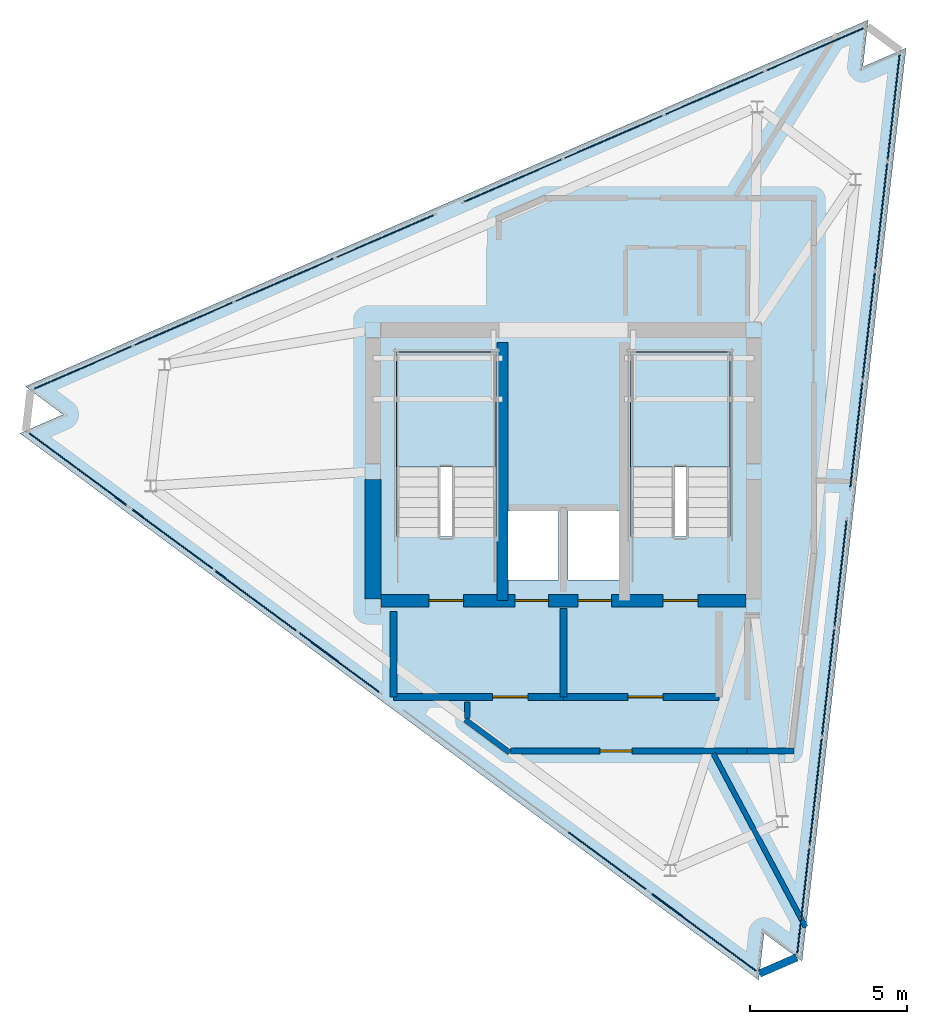
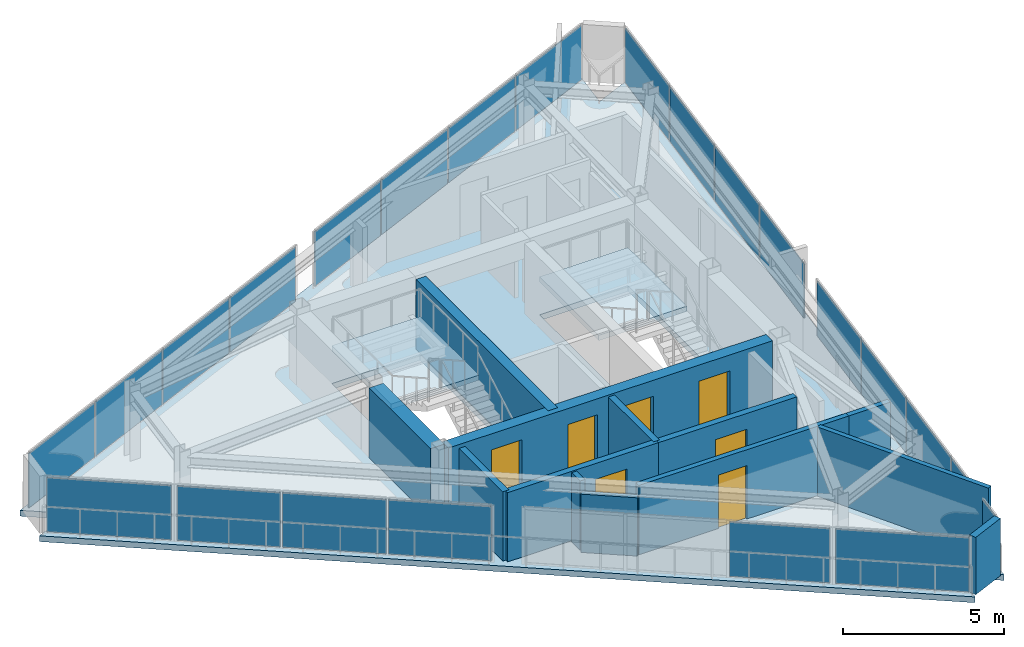
# One storey, part 6 of 10: 22 plates, 13 walls, 7 doors, 3 slabs, 7 openings, 10 elements without a shape of their own.
"""IFC4 building model written with IfcOpenShell, lengths in metres."""

from ifc_helpers import new_model, si_unit, direction, frame, frame_2d, origin, origin_2d, place, context, subcontext, project, spatial, polyline, rectangle, outline, extrude, material, layer, layer_set, type_object, element, fill, aggregate, save


model = new_model("IFC4")

# Units and contexts
model_context = context("Model", 3, precision=1e-05, world=origin(), true_north=direction((0.0, 1.0)))
body_context = subcontext(model_context, "Body", "Model", "MODEL_VIEW")
ifc_project = project(units=[si_unit("LENGTHUNIT", "METRE"), si_unit("AREAUNIT", "SQUARE_METRE"), si_unit("VOLUMEUNIT", "CUBIC_METRE"), si_unit("PLANEANGLEUNIT", "RADIAN"), si_unit("MASSUNIT", "GRAM", prefix="KILO")], contexts=[model_context])

# Site, building, storey
site_placement = place(None, origin())
site = spatial("IfcSite", under=ifc_project, at=site_placement, CompositionType="ELEMENT")
building_placement = place(site_placement, origin())
building = spatial("IfcBuilding", under=site, at=building_placement, Name="Rocaltana Carrier Exchange", CompositionType="ELEMENT")
storey_placement = place(building_placement, frame((0.0, 0.0, 252.0)))
storey = spatial("IfcBuildingStorey", under=building, at=storey_placement, Name="L80", CompositionType="ELEMENT", Elevation=252.0)

# Curtain wall, plates
ifc_material_1 = material(Name="Aluminium 6063-T6", Category="aluminium")
ifc_layer_1 = layer(ifc_material_1, 0.110107421875)
ifc_layer_set_1 = layer_set([ifc_layer_1], Name="Aluminium 6063-T6")
curtain_wall_type = type_object("IfcCurtainWallType", Name="Crown Lantern Faceted Curtain Wall CW-06", PredefinedType="NOTDEFINED", material=ifc_layer_set_1)
curtain_wall_1_placement = place(storey_placement, origin())
curtain_wall_1 = element("IfcCurtainWall", 1, at=curtain_wall_1_placement, inside=storey, type_object=curtain_wall_type, Name="L80 CW-06 Run CW06-L80-F1S1", PredefinedType="NOTDEFINED")
ifc_material_2 = material(Name="Tempered Laminated Glass", Category="glass")
ifc_layer_2 = layer(ifc_material_2, 0.033935546875)
ifc_layer_set_2 = layer_set([ifc_layer_2], Name="Tempered Laminated Glass")
plate_type = type_object("IfcPlateType", Name="CW-06 Stone-Insulated Vision Panel", PredefinedType="CURTAIN_PANEL", material=ifc_layer_set_2)
plate_1_placement = place(storey_placement, frame((7.62060546875, -13.636474609375, 0.054931640625), z_axis=(0.0, 0.0, 1.0), x_axis=(0.113200089213, 0.99357221167, 0.0)))
plate_1 = element("IfcPlate", 2, at=plate_1_placement, type_object=plate_type, Name="CW-06 panel 1.1", PredefinedType="CURTAIN_PANEL", context=body_context, shape_type="SweptSolid", body=[
    extrude(rectangle(XDim=3.41748046875, YDim=0.033935546875, at=origin_2d()), origin(), (0.0, 0.0, 1.0), 2.05810546875),
])
plate_2_placement = place(storey_placement, frame((8.015380859375, -10.1728515625, 0.054931640625), z_axis=(0.0, 0.0, 1.0), x_axis=(0.113200089213, 0.99357221167, 0.0)))
plate_2 = element("IfcPlate", 3, at=plate_2_placement, type_object=plate_type, Name="CW-06 panel 2.1", PredefinedType="CURTAIN_PANEL", context=body_context, shape_type="SweptSolid", body=[
    extrude(rectangle(XDim=3.445068359375, YDim=0.033935546875, at=origin_2d()), origin(), (0.0, 0.0, 1.0), 2.05810546875),
])
plate_3_placement = place(storey_placement, frame((8.41162109375, -6.6953125, 0.054931640625), z_axis=(0.0, 0.0, 1.0), x_axis=(0.113200089213, 0.99357221167, 0.0)))
plate_3 = element("IfcPlate", 4, at=plate_3_placement, type_object=plate_type, Name="CW-06 panel 3.1", PredefinedType="CURTAIN_PANEL", context=body_context, shape_type="SweptSolid", body=[
    extrude(rectangle(XDim=3.445068359375, YDim=0.033935546875, at=origin_2d()), origin(), (0.0, 0.0, 1.0), 2.05810546875),
])
plate_4_placement = place(storey_placement, frame((8.80615234375, -3.2314453125, 0.054931640625), z_axis=(0.0, 0.0, 1.0), x_axis=(0.113200089213, 0.99357221167, 0.0)))
plate_4 = element("IfcPlate", 5, at=plate_4_placement, type_object=plate_type, Name="CW-06 panel 4.1", PredefinedType="CURTAIN_PANEL", context=body_context, shape_type="SweptSolid", body=[
    extrude(rectangle(XDim=3.41748046875, YDim=0.033935546875, at=origin_2d()), origin(), (0.0, 0.0, 1.0), 2.05810546875),
])
aggregate(curtain_wall_1, [plate_1, plate_2, plate_3, plate_4])

curtain_wall_2_placement = place(storey_placement, origin())
curtain_wall_2 = element("IfcCurtainWall", 6, at=curtain_wall_2_placement, inside=storey, type_object=curtain_wall_type, Name="L80 CW-06 Run CW06-L80-F1S2", PredefinedType="NOTDEFINED")
plate_5_placement = place(storey_placement, frame((9.307373046875, 1.167724609375, 0.054931640625), z_axis=(0.0, 0.0, 1.0), x_axis=(0.113200089213, 0.99357221167, 0.0)))
plate_5 = element("IfcPlate", 7, at=plate_5_placement, type_object=plate_type, Name="CW-06 panel 1.1", PredefinedType="CURTAIN_PANEL", context=body_context, shape_type="SweptSolid", body=[
    extrude(rectangle(XDim=3.41748046875, YDim=0.033935546875, at=origin_2d()), origin(), (0.0, 0.0, 1.0), 2.05810546875),
])
plate_6_placement = place(storey_placement, frame((9.701904296875, 4.63134765625, 0.054931640625), z_axis=(0.0, 0.0, 1.0), x_axis=(0.113200089213, 0.99357221167, 0.0)))
plate_6 = element("IfcPlate", 8, at=plate_6_placement, type_object=plate_type, Name="CW-06 panel 2.1", PredefinedType="CURTAIN_PANEL", context=body_context, shape_type="SweptSolid", body=[
    extrude(rectangle(XDim=3.445068359375, YDim=0.033935546875, at=origin_2d()), origin(), (0.0, 0.0, 1.0), 2.05810546875),
])
plate_7_placement = place(storey_placement, frame((10.09814453125, 8.10888671875, 0.054931640625), z_axis=(0.0, 0.0, 1.0), x_axis=(0.113200089213, 0.99357221167, 0.0)))
plate_7 = element("IfcPlate", 9, at=plate_7_placement, type_object=plate_type, Name="CW-06 panel 3.1", PredefinedType="CURTAIN_PANEL", context=body_context, shape_type="SweptSolid", body=[
    extrude(rectangle(XDim=3.445068359375, YDim=0.033935546875, at=origin_2d()), origin(), (0.0, 0.0, 1.0), 2.05810546875),
])
plate_8_placement = place(storey_placement, frame((10.492919921875, 11.57275390625, 0.054931640625), z_axis=(0.0, 0.0, 1.0), x_axis=(0.113200089213, 0.99357221167, 0.0)))
plate_8 = element("IfcPlate", 10, at=plate_8_placement, type_object=plate_type, Name="CW-06 panel 4.1", PredefinedType="CURTAIN_PANEL", context=body_context, shape_type="SweptSolid", body=[
    extrude(rectangle(XDim=3.41748046875, YDim=0.033935546875, at=origin_2d()), origin(), (0.0, 0.0, 1.0), 2.05810546875),
])
aggregate(curtain_wall_2, [plate_5, plate_6, plate_7, plate_8])

curtain_wall_3_placement = place(storey_placement, origin())
curtain_wall_3 = element("IfcCurtainWall", 11, at=curtain_wall_3_placement, inside=storey, type_object=curtain_wall_type, Name="L80 CW-06 Run CW06-L80-F2S1", PredefinedType="NOTDEFINED")
plate_9_placement = place(storey_placement, frame((7.999267578125, 13.41796875, 0.054931640625), z_axis=(0.0, 0.0, 1.0), x_axis=(-0.917063015466, -0.398742304834, 0.0)))
plate_9 = element("IfcPlate", 12, at=plate_9_placement, type_object=plate_type, Name="CW-06 panel 1.1", PredefinedType="CURTAIN_PANEL", context=body_context, shape_type="SweptSolid", body=[
    extrude(rectangle(XDim=3.41748046875, YDim=0.033935546875, at=origin_2d()), origin(), (0.0, 0.0, 1.0), 2.05810546875),
])
plate_10_placement = place(storey_placement, frame((4.80224609375, 12.02783203125, 0.054931640625), z_axis=(0.0, 0.0, 1.0), x_axis=(-0.917063015466, -0.398742304834, 0.0)))
plate_10 = element("IfcPlate", 13, at=plate_10_placement, type_object=plate_type, Name="CW-06 panel 2.1", PredefinedType="CURTAIN_PANEL", context=body_context, shape_type="SweptSolid", body=[
    extrude(rectangle(XDim=3.445068359375, YDim=0.033935546875, at=origin_2d()), origin(), (0.0, 0.0, 1.0), 2.05810546875),
])
plate_11_placement = place(storey_placement, frame((1.592529296875, 10.632080078125, 0.054931640625), z_axis=(0.0, 0.0, 1.0), x_axis=(-0.917063015466, -0.398742304834, 0.0)))
plate_11 = element("IfcPlate", 14, at=plate_11_placement, type_object=plate_type, Name="CW-06 panel 3.1", PredefinedType="CURTAIN_PANEL", context=body_context, shape_type="SweptSolid", body=[
    extrude(rectangle(XDim=3.445068359375, YDim=0.033935546875, at=origin_2d()), origin(), (0.0, 0.0, 1.0), 2.05810546875),
])
plate_12_placement = place(storey_placement, frame((-1.604736328125, 9.2421875, 0.054931640625), z_axis=(0.0, 0.0, 1.0), x_axis=(-0.917063015466, -0.398742304834, 0.0)))
plate_12 = element("IfcPlate", 15, at=plate_12_placement, type_object=plate_type, Name="CW-06 panel 4.1", PredefinedType="CURTAIN_PANEL", context=body_context, shape_type="SweptSolid", body=[
    extrude(rectangle(XDim=3.41748046875, YDim=0.033935546875, at=origin_2d()), origin(), (0.0, 0.0, 1.0), 2.05810546875),
])
aggregate(curtain_wall_3, [plate_9, plate_10, plate_11, plate_12])

curtain_wall_4_placement = place(storey_placement, origin())
curtain_wall_4 = element("IfcCurtainWall", 16, at=curtain_wall_4_placement, inside=storey, type_object=curtain_wall_type, Name="L80 CW-06 Run CW06-L80-F2S2", PredefinedType="NOTDEFINED")
plate_13_placement = place(storey_placement, frame((-5.664794921875, 7.4765625, 0.054931640625), z_axis=(0.0, 0.0, 1.0), x_axis=(-0.917060403513, -0.398748311983, 0.0)))
plate_13 = element("IfcPlate", 17, at=plate_13_placement, type_object=plate_type, Name="CW-06 panel 1.1", PredefinedType="CURTAIN_PANEL", context=body_context, shape_type="SweptSolid", body=[
    extrude(rectangle(XDim=3.41748046875, YDim=0.033935546875, at=origin_2d()), origin(), (0.0, 0.0, 1.0), 2.05810546875),
])
plate_14_placement = place(storey_placement, frame((-8.862060546875, 6.08642578125, 0.054931640625), z_axis=(0.0, 0.0, 1.0), x_axis=(-0.917060403513, -0.398748311983, 0.0)))
plate_14 = element("IfcPlate", 18, at=plate_14_placement, type_object=plate_type, Name="CW-06 panel 2.1", PredefinedType="CURTAIN_PANEL", context=body_context, shape_type="SweptSolid", body=[
    extrude(rectangle(XDim=3.445068359375, YDim=0.033935546875, at=origin_2d()), origin(), (0.0, 0.0, 1.0), 2.05810546875),
])
plate_15_placement = place(storey_placement, frame((-12.07177734375, 4.69091796875, 0.054931640625), z_axis=(0.0, 0.0, 1.0), x_axis=(-0.917060403513, -0.398748311983, 0.0)))
plate_15 = element("IfcPlate", 19, at=plate_15_placement, type_object=plate_type, Name="CW-06 panel 3.1", PredefinedType="CURTAIN_PANEL", context=body_context, shape_type="SweptSolid", body=[
    extrude(rectangle(XDim=3.445068359375, YDim=0.033935546875, at=origin_2d()), origin(), (0.0, 0.0, 1.0), 2.05810546875),
])
plate_16_placement = place(storey_placement, frame((-15.268798828125, 3.30078125, 0.054931640625), z_axis=(0.0, 0.0, 1.0), x_axis=(-0.917060403513, -0.398748311983, 0.0)))
plate_16 = element("IfcPlate", 20, at=plate_16_placement, type_object=plate_type, Name="CW-06 panel 4.1", PredefinedType="CURTAIN_PANEL", context=body_context, shape_type="SweptSolid", body=[
    extrude(rectangle(XDim=3.41748046875, YDim=0.033935546875, at=origin_2d()), origin(), (0.0, 0.0, 1.0), 2.05810546875),
])
aggregate(curtain_wall_4, [plate_13, plate_14, plate_15, plate_16])

# Curtain wall, plate
curtain_wall_5_placement = place(storey_placement, origin())
curtain_wall_5 = element("IfcCurtainWall", 21, at=curtain_wall_5_placement, inside=storey, type_object=curtain_wall_type, Name="L80 CW-06 Run CW06-L80-F3S1-S1", PredefinedType="NOTDEFINED")
plate_17_placement = place(storey_placement, frame((-15.425048828125, 0.074462890625, 0.054931640625), z_axis=(0.0, 0.0, 1.0), x_axis=(0.80384452098, -0.594839462452, 0.0)))
plate_17 = element("IfcPlate", 22, at=plate_17_placement, type_object=plate_type, Name="CW-06 panel 1.1", PredefinedType="CURTAIN_PANEL", context=body_context, shape_type="SweptSolid", body=[
    extrude(rectangle(XDim=3.90234375, YDim=0.033935546875, at=origin_2d()), origin(), (0.0, 0.0, 1.0), 2.05810546875),
])
aggregate(curtain_wall_5, [plate_17])

# Curtain wall, plates
curtain_wall_6_placement = place(storey_placement, origin())
curtain_wall_6 = element("IfcCurtainWall", 23, at=curtain_wall_6_placement, inside=storey, type_object=curtain_wall_type, Name="L80 CW-06 Run CW06-L80-F3S1-S2", PredefinedType="NOTDEFINED")
plate_18_placement = place(storey_placement, frame((-12.4189453125, -2.14990234375, 0.054931640625), z_axis=(0.0, 0.0, 1.0), x_axis=(0.803858477489, -0.594820601669, 0.0)))
plate_18 = element("IfcPlate", 24, at=plate_18_placement, type_object=plate_type, Name="CW-06 panel 1.1", PredefinedType="CURTAIN_PANEL", context=body_context, shape_type="SweptSolid", body=[
    extrude(rectangle(XDim=3.224609375, YDim=0.033935546875, at=origin_2d()), origin(), (0.0, 0.0, 1.0), 2.05810546875),
])
plate_19_placement = place(storey_placement, frame((-9.771484375, -4.10888671875, 0.054931640625), z_axis=(0.0, 0.0, 1.0), x_axis=(0.803858477489, -0.594820601669, 0.0)))
plate_19 = element("IfcPlate", 25, at=plate_19_placement, type_object=plate_type, Name="CW-06 panel 2.1", PredefinedType="CURTAIN_PANEL", context=body_context, shape_type="SweptSolid", body=[
    extrude(rectangle(XDim=3.252197265625, YDim=0.033935546875, at=origin_2d()), origin(), (0.0, 0.0, 1.0), 2.05810546875),
])
plate_20_placement = place(storey_placement, frame((-7.1240234375, -6.068115234375, 0.054931640625), z_axis=(0.0, 0.0, 1.0), x_axis=(0.803858477489, -0.594820601669, 0.0)))
plate_20 = element("IfcPlate", 26, at=plate_20_placement, type_object=plate_type, Name="CW-06 panel 3.1", PredefinedType="CURTAIN_PANEL", context=body_context, shape_type="SweptSolid", body=[
    extrude(rectangle(XDim=3.224609375, YDim=0.033935546875, at=origin_2d()), origin(), (0.0, 0.0, 1.0), 2.05810546875),
])
aggregate(curtain_wall_6, [plate_18, plate_19, plate_20])

# Curtain wall, plate
curtain_wall_7_placement = place(storey_placement, origin())
curtain_wall_7 = element("IfcCurtainWall", 27, at=curtain_wall_7_placement, inside=storey, type_object=curtain_wall_type, Name="L80 CW-06 Run CW06-L80-F3S2-S1", PredefinedType="NOTDEFINED")
plate_21_placement = place(storey_placement, frame((1.391845703125, -12.369384765625, 0.054931640625), z_axis=(0.0, 0.0, 1.0), x_axis=(0.803855081578, -0.594825190977, 0.0)))
plate_21 = element("IfcPlate", 28, at=plate_21_placement, type_object=plate_type, Name="CW-06 panel 3.1", PredefinedType="CURTAIN_PANEL", context=body_context, shape_type="SweptSolid", body=[
    extrude(rectangle(XDim=3.133544921875, YDim=0.033935546875, at=origin_2d()), origin(), (0.0, 0.0, 1.0), 2.05810546875),
])
aggregate(curtain_wall_7, [plate_21])

curtain_wall_8_placement = place(storey_placement, origin())
curtain_wall_8 = element("IfcCurtainWall", 29, at=curtain_wall_8_placement, inside=storey, type_object=curtain_wall_type, Name="L80 CW-06 Run CW06-L80-F3S2-S2", PredefinedType="NOTDEFINED")
plate_22_placement = place(storey_placement, frame((4.47119140625, -14.64794921875, 0.054931640625), z_axis=(0.0, 0.0, 1.0), x_axis=(0.803861312169, -0.594816770777, 0.0)))
plate_22 = element("IfcPlate", 30, at=plate_22_placement, type_object=plate_type, Name="CW-06 panel 1.1", PredefinedType="CURTAIN_PANEL", context=body_context, shape_type="SweptSolid", body=[
    extrude(rectangle(XDim=4.17578125, YDim=0.033935546875, at=origin_2d()), origin(), (0.0, 0.0, 1.0), 2.05810546875),
])
aggregate(curtain_wall_8, [plate_22])

# Slab
ifc_material_3 = material(Name="Concrete C50/60", Category="concrete")
ifc_layer_3 = layer(ifc_material_3, 0.219970703125)
ifc_layer_set_3 = layer_set([ifc_layer_3], Name="Concrete C50/60")
slab_type_1 = type_object("IfcSlabType", Name="Crown Pyramid Slab 220", PredefinedType="FLOOR", material=ifc_layer_set_3)
slab_1_placement = place(storey_placement, frame((0.0, 0.0, -0.219970703125)))
element("IfcSlab", 31, at=slab_1_placement, inside=storey, type_object=slab_type_1, Name="L80 Structural Floor Slab", PredefinedType="FLOOR", context=body_context, shape_type="SweptSolid", body=[
    extrude(outline(polyline([(6.207275390625, -16.156494140625), (6.376953125, -14.666259765625), (7.582763671875, -15.558349609375), (10.888427734375, 13.453857421875), (9.5126953125, 12.855712890625), (9.6826171875, 14.34619140625), (-17.095703125, 2.70263671875), (-15.889892578125, 1.810302734375), (-17.265380859375, 1.21240234375), (6.207275390625, -16.156494140625)]), holes=[polyline([(-5.300048828125, -2.06005859375), (-2.139892578125, -2.06005859375), (-2.139892578125, 3.800048828125), (-5.300048828125, 3.800048828125), (-5.300048828125, -2.06005859375)]), polyline([(2.139892578125, -2.06005859375), (5.300048828125, -2.06005859375), (5.300048828125, 3.800048828125), (2.139892578125, 3.800048828125), (2.139892578125, -2.06005859375)]), polyline([(-1.85009765625, -3.449951171875), (-0.14990234375, -3.449951171875), (-0.14990234375, -1.25), (-1.85009765625, -1.25), (-1.85009765625, -3.449951171875)]), polyline([(0.14990234375, -3.449951171875), (1.85009765625, -3.449951171875), (1.85009765625, -1.25), (0.14990234375, -1.25), (0.14990234375, -3.449951171875)])]), origin(), (0.0, 0.0, 1.0), 0.219970703125),
])

# Stair, slab
ifc_material_4 = material(Name="Precast concrete C45/55", Category="concrete")
stair_type = type_object("IfcStairType", Name="Standard Dog-Leg Stair 160", PredefinedType="HALF_TURN_STAIR", material=ifc_material_4)
stair_1_placement = place(storey_placement, origin())
stair_1 = element("IfcStair", 32, at=stair_1_placement, inside=storey, type_object=stair_type, Name="L80 Core West Exit Stair ST-1", PredefinedType="HALF_TURN_STAIR")
ifc_material_5 = material(Name="Precast concrete C45/55", Category="concrete")
ifc_layer_4 = layer(ifc_material_5, 0.199951171875)
ifc_layer_set_4 = layer_set([ifc_layer_4], Name="Precast concrete C45/55")
slab_type_2 = type_object("IfcSlabType", Name="Precast Stair Half-Landing 200", PredefinedType="LANDING", material=ifc_layer_set_4)
slab_2_placement = place(storey_placement, frame((0.0, 0.0, 1.239990234375)))
slab_2 = element("IfcSlab", 33, at=slab_2_placement, type_object=slab_type_2, Name="ST-1 landing 1", PredefinedType="LANDING", context=body_context, shape_type="SweptSolid", body=[
    extrude(outline(polyline([(-2.139892578125, 0.139892578125), (-2.139892578125, 3.800048828125), (-5.300048828125, 3.800048828125), (-5.300048828125, 0.139892578125), (-2.139892578125, 0.139892578125)])), origin(), (0.0, 0.0, 1.0), 0.199951171875),
])
aggregate(stair_1, [slab_2])

stair_2_placement = place(storey_placement, origin())
stair_2 = element("IfcStair", 34, at=stair_2_placement, inside=storey, type_object=stair_type, Name="L80 Core East Exit Stair ST-2", PredefinedType="HALF_TURN_STAIR")
slab_3_placement = place(storey_placement, frame((0.0, 0.0, 1.239990234375)))
slab_3 = element("IfcSlab", 35, at=slab_3_placement, type_object=slab_type_2, Name="ST-2 landing 1", PredefinedType="LANDING", context=body_context, shape_type="SweptSolid", body=[
    extrude(outline(polyline([(5.300048828125, 0.139892578125), (5.300048828125, 3.800048828125), (2.139892578125, 3.800048828125), (2.139892578125, 0.139892578125), (5.300048828125, 0.139892578125)])), origin(), (0.0, 0.0, 1.0), 0.199951171875),
])
aggregate(stair_2, [slab_3])

# Walls
ifc_material_6 = material(Name="Double Acoustic Gypsum Partition", Category="gypsum")
ifc_layer_5 = layer(ifc_material_6, 0.159912109375)
ifc_layer_set_5 = layer_set([ifc_layer_5], Name="Double Acoustic Gypsum Partition")
wall_type_1 = type_object("IfcWallType", Name="Acoustic Studio Partition 160 EI60", PredefinedType="PARTITIONING", material=ifc_layer_set_5)
wall_1_placement = place(storey_placement, frame((4.76416015625, -8.9599609375, 0.0), z_axis=(0.0, 0.0, 1.0), x_axis=(0.469463863752, -0.882951686465, 0.0)))
element("IfcWall", 36, at=wall_1_placement, inside=storey, type_object=wall_type_1, Name="L80 Suite Divider Wall D1", PredefinedType="PARTITIONING", context=body_context, shape_type="SweptSolid", body=[
    extrude(rectangle(XDim=6.24560546875, YDim=0.159912109375, at=frame_2d((3.122802734375, 0.0))), origin(), (0.0, 0.0, 1.0), 2.623046875),
])
ifc_material_7 = material(Name="Concrete C50/60", Category="concrete")
ifc_layer_6 = layer(ifc_material_7, 0.35009765625)
ifc_layer_set_6 = layer_set([ifc_layer_6], Name="Concrete C50/60")
wall_type_2 = type_object("IfcWallType", Name="Core Internal Shear Wall 350", PredefinedType="SHEAR", material=ifc_layer_set_6)
wall_2_placement = place(storey_placement, frame((-1.93994140625, -4.10009765625, 0.0), z_axis=(0.0, 0.0, 1.0), x_axis=(0.0, 1.0, 0.0)))
element("IfcWall", 37, at=wall_2_placement, inside=storey, type_object=wall_type_2, Name="L80 Core Shear Wall CW-STW", PredefinedType="SHEAR", context=body_context, shape_type="SweptSolid", body=[
    extrude(rectangle(XDim=8.2001953125, YDim=0.35009765625, at=frame_2d((4.10009765625, 0.0))), origin(), (0.0, 0.0, 1.0), 2.64794921875),
])

# Wall, openings, doors
ifc_material_8 = material(Name="Concrete C50/60", Category="concrete")
ifc_layer_7 = layer(ifc_material_8, 0.39990234375)
ifc_layer_set_7 = layer_set([ifc_layer_7], Name="Concrete C50/60")
wall_type_3 = type_object("IfcWallType", Name="Core Internal Shear Wall 400", PredefinedType="SHEAR", material=ifc_layer_set_7)
wall_3_placement = place(storey_placement, frame((-5.800048828125, -4.10009765625, 0.0), z_axis=(0.0, 0.0, 1.0), x_axis=(1.0, 0.0, 0.0)))
wall_3 = element("IfcWall", 38, at=wall_3_placement, inside=storey, type_object=wall_type_3, Name="L80 Core Shear Wall CW-S", PredefinedType="SHEAR", context=body_context, shape_type="SweptSolid", body=[
    extrude(rectangle(XDim=11.60009765625, YDim=0.39990234375, at=frame_2d((5.800048828125, 0.0))), origin(), (0.0, 0.0, 1.0), 2.64794921875),
])
opening_1_placement = place(wall_3_placement, frame((1.530029296875, 0.0, 0.0)))
opening_1 = element("IfcOpeningElement", 39, at=opening_1_placement, cuts=wall_3, Name="Opening D-ST110", PredefinedType="OPENING", context=body_context, shape_type="SweptSolid", body=[
    extrude(rectangle(XDim=1.10009765625, YDim=2.0400390625, at=frame_2d((0.550048828125, 1.02001953125))), frame((0.0, 0.2099609375, 0.0), z_axis=(0.0, -1.0, 0.0), x_axis=(1.0, 0.0, 0.0)), (0.0, 0.0, 1.0), 0.419921875),
])
opening_2_placement = place(wall_3_placement, frame((8.969970703125, 0.0, 0.0)))
opening_2 = element("IfcOpeningElement", 40, at=opening_2_placement, cuts=wall_3, Name="Opening D-ST110", PredefinedType="OPENING", context=body_context, shape_type="SweptSolid", body=[
    extrude(rectangle(XDim=1.10009765625, YDim=2.0400390625, at=frame_2d((0.550048828125, 1.02001953125))), frame((0.0, 0.2099609375, 0.0), z_axis=(0.0, -1.0, 0.0), x_axis=(1.0, 0.0, 0.0)), (0.0, 0.0, 1.0), 0.419921875),
])
opening_3_placement = place(wall_3_placement, frame((4.27001953125, 0.0, 0.0)))
opening_3 = element("IfcOpeningElement", 41, at=opening_3_placement, cuts=wall_3, Name="Opening LD-110", PredefinedType="OPENING", context=body_context, shape_type="SweptSolid", body=[
    extrude(rectangle(XDim=1.06005859375, YDim=2.0400390625, at=frame_2d((0.530029296875, 1.02001953125))), frame((0.0, 0.2099609375, 0.0), z_axis=(0.0, -1.0, 0.0), x_axis=(1.0, 0.0, 0.0)), (0.0, 0.0, 1.0), 0.419921875),
])
opening_4_placement = place(wall_3_placement, frame((6.27001953125, 0.0, 0.0)))
opening_4 = element("IfcOpeningElement", 42, at=opening_4_placement, cuts=wall_3, Name="Opening LD-110", PredefinedType="OPENING", context=body_context, shape_type="SweptSolid", body=[
    extrude(rectangle(XDim=1.06005859375, YDim=2.0400390625, at=frame_2d((0.530029296875, 1.02001953125))), frame((0.0, 0.2099609375, 0.0), z_axis=(0.0, -1.0, 0.0), x_axis=(1.0, 0.0, 0.0)), (0.0, 0.0, 1.0), 0.419921875),
])
ifc_material_9 = material(Name="Hollow Metal Fire Door Assembly", Category="steel")
door_type_1 = type_object("IfcDoorType", Name="Exit Stair Fire Door 1100x2040 FD90S", OperationType="NOTDEFINED", PredefinedType="DOOR", material=ifc_material_9)
door_1_placement = place(opening_1_placement, origin())
door_1 = element("IfcDoor", 43, at=door_1_placement, inside=storey, type_object=door_type_1, Name="L80 Exit Stair ST1 Fire Door", OperationType="SINGLE_SWING_LEFT", OverallHeight=2.0400390625, OverallWidth=1.10009765625, PredefinedType="DOOR", context=body_context, shape_type="SweptSolid", body=[
    extrude(rectangle(XDim=1.10009765625, YDim=2.0400390625, at=frame_2d((0.550048828125, 1.02001953125))), frame((0.0, 0.02490234375, 0.0), z_axis=(0.0, -1.0, 0.0), x_axis=(1.0, 0.0, 0.0)), (0.0, 0.0, 1.0), 0.050048828125),
])
fill(opening_1, door_1)
door_2_placement = place(opening_2_placement, origin())
door_2 = element("IfcDoor", 44, at=door_2_placement, inside=storey, type_object=door_type_1, Name="L80 Exit Stair ST2 Fire Door", OperationType="SINGLE_SWING_RIGHT", OverallHeight=2.0400390625, OverallWidth=1.10009765625, PredefinedType="DOOR", context=body_context, shape_type="SweptSolid", body=[
    extrude(rectangle(XDim=1.10009765625, YDim=2.0400390625, at=frame_2d((0.550048828125, 1.02001953125))), frame((0.0, 0.02490234375, 0.0), z_axis=(0.0, -1.0, 0.0), x_axis=(1.0, 0.0, 0.0)), (0.0, 0.0, 1.0), 0.050048828125),
])
fill(opening_2, door_2)
ifc_material_10 = material(Name="Brushed Stainless Sliding Door Leaf", Category="steel")
door_type_2 = type_object("IfcDoorType", Name="Lift Landing Sliding Door 1060x2040", OperationType="NOTDEFINED", PredefinedType="DOOR", material=ifc_material_10)
door_3_placement = place(opening_3_placement, origin())
door_3 = element("IfcDoor", 45, at=door_3_placement, inside=storey, type_object=door_type_2, Name="L80 Firefighting Lift FFL1 Landing Door", OperationType="SLIDING_TO_LEFT", OverallHeight=2.0400390625, OverallWidth=1.06005859375, PredefinedType="DOOR", context=body_context, shape_type="SweptSolid", body=[
    extrude(rectangle(XDim=1.06005859375, YDim=2.0400390625, at=frame_2d((0.530029296875, 1.02001953125))), frame((0.0, 0.02490234375, 0.0), z_axis=(0.0, -1.0, 0.0), x_axis=(1.0, 0.0, 0.0)), (0.0, 0.0, 1.0), 0.050048828125),
])
fill(opening_3, door_3)
door_4_placement = place(opening_4_placement, origin())
door_4 = element("IfcDoor", 46, at=door_4_placement, inside=storey, type_object=door_type_2, Name="L80 Firefighting Lift FFL2 Landing Door", OperationType="SLIDING_TO_RIGHT", OverallHeight=2.0400390625, OverallWidth=1.06005859375, PredefinedType="DOOR", context=body_context, shape_type="SweptSolid", body=[
    extrude(rectangle(XDim=1.06005859375, YDim=2.0400390625, at=frame_2d((0.530029296875, 1.02001953125))), frame((0.0, 0.02490234375, 0.0), z_axis=(0.0, -1.0, 0.0), x_axis=(1.0, 0.0, 0.0)), (0.0, 0.0, 1.0), 0.050048828125),
])
fill(opening_4, door_4)

# Walls
ifc_material_11 = material(Name="Concrete C50/60", Category="concrete")
ifc_layer_8 = layer(ifc_material_11, 0.5)
ifc_layer_set_8 = layer_set([ifc_layer_8], Name="Concrete C50/60")
wall_type_4 = type_object("IfcWallType", Name="Core Shear Wall 500", PredefinedType="SHEAR", material=ifc_layer_set_8)
wall_4_placement = place(storey_placement, frame((-6.050048828125, -4.050048828125, 0.0), z_axis=(0.0, 0.0, 1.0), x_axis=(0.0, 1.0, 0.0)))
element("IfcWall", 47, at=wall_4_placement, inside=storey, type_object=wall_type_4, Name="L80 Core Shear Wall CW-WS", PredefinedType="SHEAR", context=body_context, shape_type="SweptSolid", body=[
    extrude(rectangle(XDim=3.800048828125, YDim=0.5, at=frame_2d((1.89990234375, 0.0))), origin(), (0.0, 0.0, 1.0), 2.64794921875),
])
ifc_material_12 = material(Name="Gypsum & Steel Stud Partition", Category="steel")
ifc_layer_9 = layer(ifc_material_12, 0.179931640625)
ifc_layer_set_9 = layer_set([ifc_layer_9], Name="Gypsum & Steel Stud Partition")
wall_type_5 = type_object("IfcWallType", Name="Corridor Fire Partition 180 EI60", PredefinedType="PARTITIONING", material=ifc_layer_set_9)
wall_5_placement = place(storey_placement, frame((-1.704833984375, -8.93359375, 0.0), z_axis=(0.0, 0.0, 1.0), x_axis=(-0.803804826616, 0.594893100236, 0.0)))
element("IfcWall", 48, at=wall_5_placement, inside=storey, type_object=wall_type_5, Name="L80 Corridor Partition 1", PredefinedType="PARTITIONING", context=body_context, shape_type="SweptSolid", body=[
    extrude(rectangle(XDim=1.763427734375, YDim=0.179931640625, at=frame_2d((0.8818359375, 0.0))), origin(), (0.0, 0.0, 1.0), 2.202880859375),
])
wall_6_placement = place(storey_placement, frame((-3.050048828125, -7.84814453125, 0.0), z_axis=(0.0, 0.0, 1.0), x_axis=(0.0, 1.0, 0.0)))
element("IfcWall", 49, at=wall_6_placement, inside=storey, type_object=wall_type_5, Name="L80 Corridor Partition 2", PredefinedType="PARTITIONING", context=body_context, shape_type="SweptSolid", body=[
    extrude(rectangle(XDim=0.51806640625, YDim=0.179931640625, at=frame_2d((0.259033203125, 0.0))), origin(), (0.0, 0.0, 1.0), 2.623046875),
])
wall_7_placement = place(storey_placement, frame((7.32666015625, -8.8798828125, 0.0), z_axis=(0.0, 0.0, 1.0), x_axis=(-1.0, 0.0, 0.0)))
element("IfcWall", 50, at=wall_7_placement, inside=storey, type_object=wall_type_5, Name="L80 Corridor Partition 13", PredefinedType="PARTITIONING", context=body_context, shape_type="SweptSolid", body=[
    extrude(rectangle(XDim=1.49658203125, YDim=0.179931640625, at=frame_2d((0.748291015625, 0.0))), origin(), (0.0, 0.0, 1.0), 2.623046875),
])

# Wall, opening, door
wall_8_placement = place(storey_placement, frame((5.8701171875, -8.8798828125, 0.0), z_axis=(0.0, 0.0, 1.0), x_axis=(-1.0, 0.0, 0.0)))
wall_8 = element("IfcWall", 51, at=wall_8_placement, inside=storey, type_object=wall_type_5, Name="L80 Corridor Partition 14", PredefinedType="PARTITIONING", context=body_context, shape_type="SweptSolid", body=[
    extrude(rectangle(XDim=7.55712890625, YDim=0.179931640625, at=frame_2d((3.778564453125, 0.0))), origin(), (0.0, 0.0, 1.0), 2.623046875),
])
opening_5_placement = place(wall_8_placement, frame((3.68994140625, 0.0, 0.0)))
opening_5 = element("IfcOpeningElement", 52, at=opening_5_placement, cuts=wall_8, Name="Opening D-LB104", PredefinedType="OPENING", context=body_context, shape_type="SweptSolid", body=[
    extrude(rectangle(XDim=1.02001953125, YDim=2.02001953125, at=frame_2d((0.510009765625, 1.010009765625))), frame((0.0, 0.099853515625, 0.0), z_axis=(0.0, -1.0, 0.0), x_axis=(1.0, 0.0, 0.0)), (0.0, 0.0, 1.0), 0.199951171875),
])
ifc_material_13 = material(Name="Powder-Coated Aluminium 6063-T6", Category="aluminium")
door_type_3 = type_object("IfcDoorType", Name="Laboratory Acoustic Door 1020x2020", OperationType="NOTDEFINED", PredefinedType="DOOR", material=ifc_material_13)
door_5_placement = place(opening_5_placement, origin())
door_5 = element("IfcDoor", 53, at=door_5_placement, inside=storey, type_object=door_type_3, Name="L80 Optical Switching Laboratory Entrance Door", OperationType="SINGLE_SWING_LEFT", OverallHeight=2.02001953125, OverallWidth=1.02001953125, PredefinedType="DOOR", context=body_context, shape_type="SweptSolid", body=[
    extrude(rectangle(XDim=1.02001953125, YDim=2.02001953125, at=frame_2d((0.510009765625, 1.010009765625))), frame((0.0, 0.02490234375, 0.0), z_axis=(0.0, -1.0, 0.0), x_axis=(1.0, 0.0, 0.0)), (0.0, 0.0, 1.0), 0.050048828125),
])
fill(opening_5, door_5)

# Walls
ifc_material_14 = material(Name="Autoclaved Aerated Concrete C30/37", Category="concrete")
ifc_layer_10 = layer(ifc_material_14, 0.219970703125)
ifc_layer_set_10 = layer_set([ifc_layer_10], Name="Autoclaved Aerated Concrete C30/37")
wall_type_6 = type_object("IfcWallType", Name="Firefighting Lobby Wall 220 EI120", PredefinedType="PARTITIONING", material=ifc_layer_set_10)
wall_9_placement = place(storey_placement, frame((-5.39990234375, -7.159912109375, 0.0), z_axis=(0.0, 0.0, 1.0), x_axis=(0.0, 1.0, 0.0)))
element("IfcWall", 54, at=wall_9_placement, inside=storey, type_object=wall_type_6, Name="L80 FFL Lobby 1 West Wall", PredefinedType="PARTITIONING", context=body_context, shape_type="SweptSolid", body=[
    extrude(rectangle(XDim=2.7099609375, YDim=0.219970703125, at=frame_2d((1.35498046875, 0.0))), origin(), (0.0, 0.0, 1.0), 2.623046875),
])
wall_10_placement = place(storey_placement, frame((0.0, -7.159912109375, 0.0), z_axis=(0.0, 0.0, 1.0), x_axis=(0.0, 1.0, 0.0)))
element("IfcWall", 55, at=wall_10_placement, inside=storey, type_object=wall_type_6, Name="L80 FFL Lobby Centre Wall", PredefinedType="PARTITIONING", context=body_context, shape_type="SweptSolid", body=[
    extrude(rectangle(XDim=2.809814453125, YDim=0.219970703125, at=frame_2d((1.40478515625, 0.0))), origin(), (0.0, 0.0, 1.0), 2.623046875),
])

# Wall, opening, door
wall_11_placement = place(storey_placement, frame((-5.39990234375, -7.159912109375, 0.0), z_axis=(0.0, 0.0, 1.0), x_axis=(1.0, 0.0, 0.0)))
wall_11 = element("IfcWall", 56, at=wall_11_placement, inside=storey, type_object=wall_type_6, Name="L80 FFL Lobby 1 South Wall", PredefinedType="PARTITIONING", context=body_context, shape_type="SweptSolid", body=[
    extrude(rectangle(XDim=5.39990234375, YDim=0.219970703125, at=frame_2d((2.699951171875, 0.0))), origin(), (0.0, 0.0, 1.0), 2.623046875),
])
opening_6_placement = place(wall_11_placement, frame((3.14990234375, 0.0, 0.0)))
opening_6 = element("IfcOpeningElement", 57, at=opening_6_placement, cuts=wall_11, Name="Opening D-FF115", PredefinedType="OPENING", context=body_context, shape_type="SweptSolid", body=[
    extrude(rectangle(XDim=1.1201171875, YDim=2.02001953125, at=frame_2d((0.56005859375, 1.010009765625))), frame((0.0, 0.119873046875, 0.0), z_axis=(0.0, -1.0, 0.0), x_axis=(1.0, 0.0, 0.0)), (0.0, 0.0, 1.0), 0.239990234375),
])
ifc_material_15 = material(Name="Hollow Metal Fire Door Assembly", Category="steel")
door_type_4 = type_object("IfcDoorType", Name="Firefighting Lobby Door 1120x2020 FD60S", OperationType="NOTDEFINED", PredefinedType="DOOR", material=ifc_material_15)
door_6_placement = place(opening_6_placement, origin())
door_6 = element("IfcDoor", 58, at=door_6_placement, inside=storey, type_object=door_type_4, Name="L80 Firefighting Lift Lobby 1 Door", OperationType="SINGLE_SWING_LEFT", OverallHeight=2.02001953125, OverallWidth=1.1201171875, PredefinedType="DOOR", context=body_context, shape_type="SweptSolid", body=[
    extrude(rectangle(XDim=1.1201171875, YDim=2.02001953125, at=frame_2d((0.56005859375, 1.010009765625))), frame((0.0, 0.02490234375, 0.0), z_axis=(0.0, -1.0, 0.0), x_axis=(1.0, 0.0, 0.0)), (0.0, 0.0, 1.0), 0.050048828125),
])
fill(opening_6, door_6)

wall_12_placement = place(storey_placement, frame((0.0, -7.159912109375, 0.0), z_axis=(0.0, 0.0, 1.0), x_axis=(1.0, 0.0, 0.0)))
wall_12 = element("IfcWall", 59, at=wall_12_placement, inside=storey, type_object=wall_type_6, Name="L80 FFL Lobby 2 South Wall", PredefinedType="PARTITIONING", context=body_context, shape_type="SweptSolid", body=[
    extrude(rectangle(XDim=4.949951171875, YDim=0.219970703125, at=frame_2d((2.47509765625, 0.0))), origin(), (0.0, 0.0, 1.0), 2.623046875),
])
opening_7_placement = place(wall_12_placement, frame((2.050048828125, 0.0, 0.0)))
opening_7 = element("IfcOpeningElement", 60, at=opening_7_placement, cuts=wall_12, Name="Opening D-FF115", PredefinedType="OPENING", context=body_context, shape_type="SweptSolid", body=[
    extrude(rectangle(XDim=1.1201171875, YDim=2.02001953125, at=frame_2d((0.56005859375, 1.010009765625))), frame((0.0, 0.119873046875, 0.0), z_axis=(0.0, -1.0, 0.0), x_axis=(1.0, 0.0, 0.0)), (0.0, 0.0, 1.0), 0.239990234375),
])
door_7_placement = place(opening_7_placement, origin())
door_7 = element("IfcDoor", 61, at=door_7_placement, inside=storey, type_object=door_type_4, Name="L80 Firefighting Lift Lobby 2 Door", OperationType="SINGLE_SWING_RIGHT", OverallHeight=2.02001953125, OverallWidth=1.1201171875, PredefinedType="DOOR", context=body_context, shape_type="SweptSolid", body=[
    extrude(rectangle(XDim=1.1201171875, YDim=2.02001953125, at=frame_2d((0.56005859375, 1.010009765625))), frame((0.0, 0.02490234375, 0.0), z_axis=(0.0, -1.0, 0.0), x_axis=(1.0, 0.0, 0.0)), (0.0, 0.0, 1.0), 0.050048828125),
])
fill(opening_7, door_7)

# Wall
ifc_material_16 = material(Name="Precast sandstone concrete C40/50", Category="masonry")
ifc_layer_11 = layer(ifc_material_16, 0.239990234375)
ifc_layer_set_11 = layer_set([ifc_layer_11], Name="Precast sandstone concrete C40/50")
wall_type_7 = type_object("IfcWallType", Name="Terrace Stone Parapet Wall 240", PredefinedType="PARAPET", material=ifc_layer_set_11)
wall_13_placement = place(storey_placement, frame((6.23388671875, -15.952392578125, 0.0), z_axis=(0.0, 0.0, 1.0), x_axis=(0.917064030228, 0.398739970986, 0.0)))
element("IfcWall", 62, at=wall_13_placement, inside=storey, type_object=wall_type_7, Name="L80 Crown Corner Mullion Wall C3", PredefinedType="PARAPET", context=body_context, shape_type="SweptSolid", body=[
    extrude(rectangle(XDim=1.288330078125, YDim=0.239990234375, at=frame_2d((0.64404296875, 0.0))), origin(), (0.0, 0.0, 1.0), 2.16796875),
])

save(model, "model.ifc")
